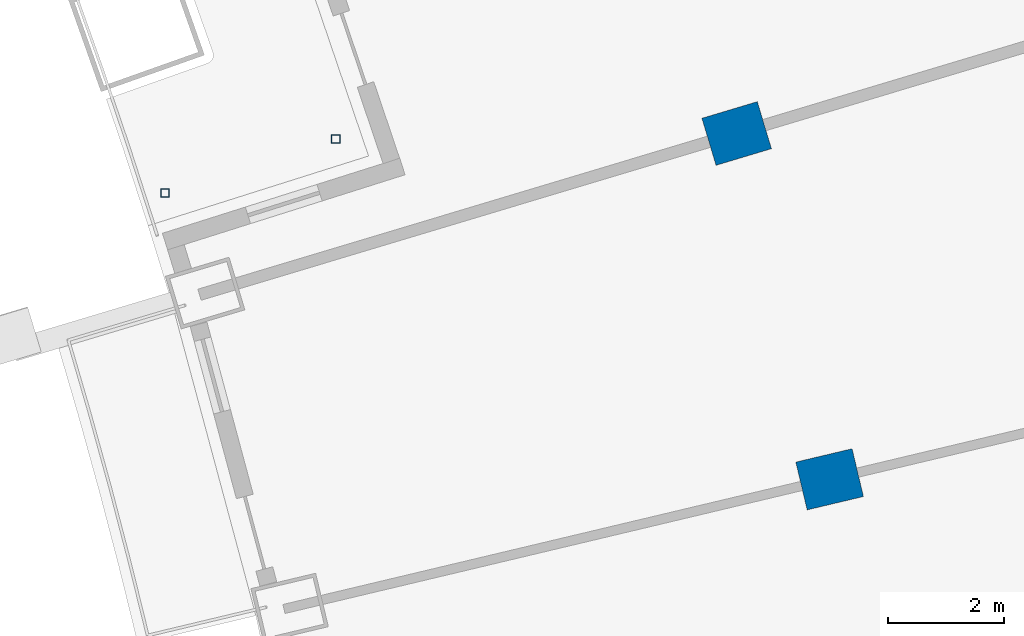
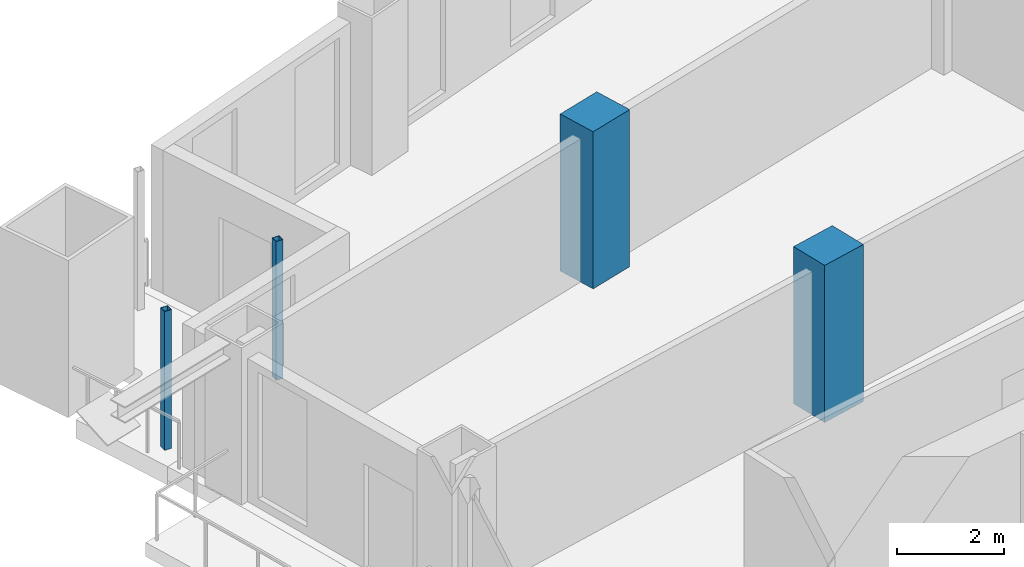
# One storey, part 7 of 25: 4 columns.
"""IFC4 building model written with IfcOpenShell, lengths in metres."""

from ifc_helpers import new_model, si_unit, direction, frame, origin, origin_2d, place, context, subcontext, project, spatial, rectangle, hollow_rectangle, extrude, material, material_profile, profile_set, type_object, element, save


model = new_model("IFC4")

# Units and contexts
model_context = context("Model", 3, precision=1e-05, world=origin(), true_north=direction((0.0, 1.0)))
body_context = subcontext(model_context, "Body", "Model", "MODEL_VIEW")
ifc_project = project(units=[si_unit("LENGTHUNIT", "METRE"), si_unit("AREAUNIT", "SQUARE_METRE"), si_unit("VOLUMEUNIT", "CUBIC_METRE"), si_unit("PLANEANGLEUNIT", "RADIAN"), si_unit("MASSUNIT", "GRAM", prefix="KILO")], contexts=[model_context])

# Site, building, storey
site_placement = place(None, origin())
site = spatial("IfcSite", under=ifc_project, at=site_placement, CompositionType="ELEMENT")
building_placement = place(site_placement, origin())
building = spatial("IfcBuilding", under=site, at=building_placement, Name="Alderwake Tower", CompositionType="ELEMENT")
storey_placement = place(building_placement, frame((0.0, 0.0, 89.60009765625)))
storey = spatial("IfcBuildingStorey", under=building, at=storey_placement, Name="L21", CompositionType="ELEMENT", Elevation=89.60009765625)

# Columns
ifc_material_1 = material(Name="Concrete C70/85", Category="concrete")
ifc_material_profile_1 = material_profile(ifc_material_1, rectangle(XDim=0.85009765625, YDim=1.0, at=origin_2d()), Name="RC 1000X850")
ifc_profile_set_1 = profile_set([ifc_material_profile_1], Name="Concrete C70/85")
column_type_1 = type_object("IfcColumnType", Name="Interior column Z2", PredefinedType="COLUMN", material=ifc_profile_set_1)
for number, where, z_axis, x_axis, name in (
    (1, (23.322021484375, 85.555908203125, 0.0), (0.0, 0.0, 1.0), (-0.231221547198, 0.972901123502, 0.0), "Column R11-C1"),
    (2, (21.714599609375, 91.53759765625, 0.0), (0.0, 0.0, 1.0), (-0.287549418125, 0.957765802342, 0.0), "Column R12-C1"),
):
    element("IfcColumn", number, at=place(storey_placement, frame(where, z_axis=z_axis, x_axis=x_axis)), inside=storey, type_object=column_type_1, Name=name, PredefinedType="COLUMN", context=body_context, shape_type="SweptSolid", body=[
        extrude(rectangle(XDim=0.85009765625, YDim=1.0, at=origin_2d()), origin(), (0.0, 0.0, 1.0), 3.599853515625),
    ])
ifc_material_2 = material(Name="Steel ASTM A500 Grade C", Category="steel")
ifc_material_profile_2 = material_profile(ifc_material_2, hollow_rectangle(XDim=0.15234375, YDim=0.15234375, WallThickness=0.0087890625, at=origin_2d()), Name="HSS6X6X3/8")
ifc_profile_set_2 = profile_set([ifc_material_profile_2], Name="Steel ASTM A500 Grade C")
column_type_2 = type_object("IfcColumnType", Name="Light post HSS6X6X3/8", PredefinedType="COLUMN", material=ifc_profile_set_2)
for number, where, z_axis, x_axis, name in (
    (3, (11.82568359375, 90.507080078125, 0.0), (0.0, 0.0, 1.0), (1.0, 0.0, 0.0), "Terrace post RN1"),
    (4, (14.781494140625, 91.441650390625, 0.0), (0.0, 0.0, 1.0), (1.0, 0.0, 0.0), "Terrace post RN3"),
):
    element("IfcColumn", number, at=place(storey_placement, frame(where, z_axis=z_axis, x_axis=x_axis)), inside=storey, type_object=column_type_2, Name=name, PredefinedType="COLUMN", context=body_context, shape_type="SweptSolid", body=[
        extrude(hollow_rectangle(XDim=0.15234375, YDim=0.15234375, WallThickness=0.0087890625, at=origin_2d()), origin(), (0.0, 0.0, 1.0), 3.179931640625),
    ])

save(model, "model.ifc")
